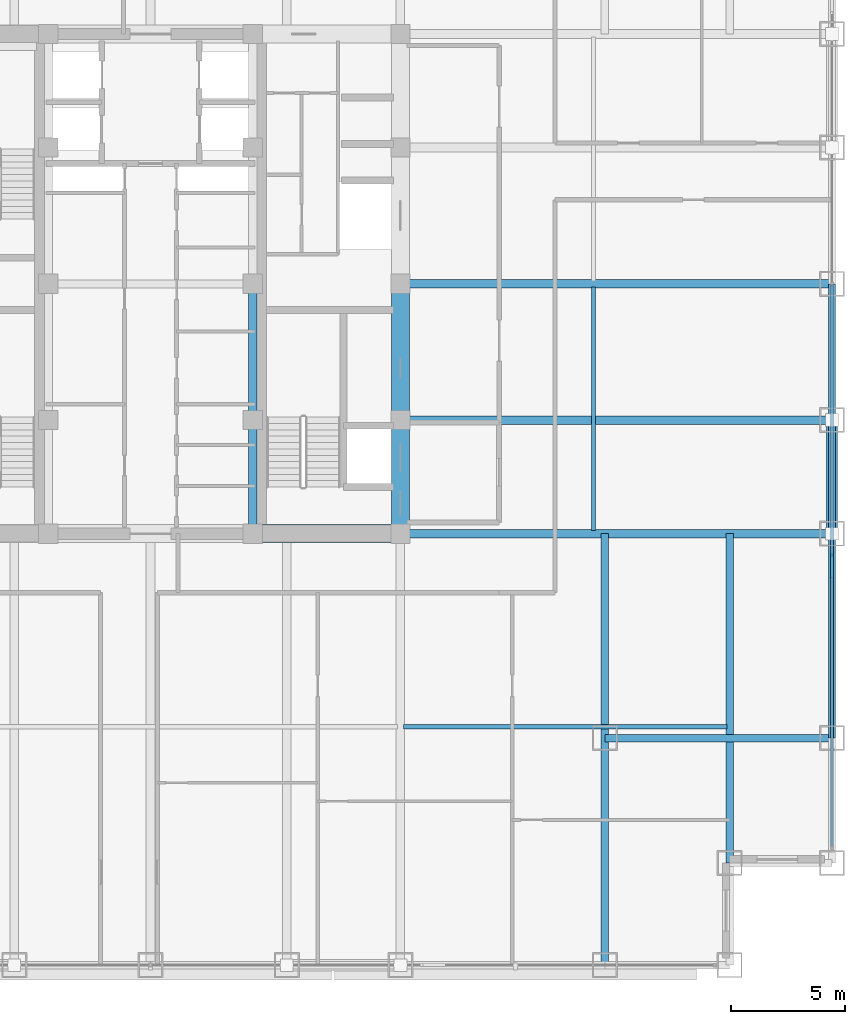
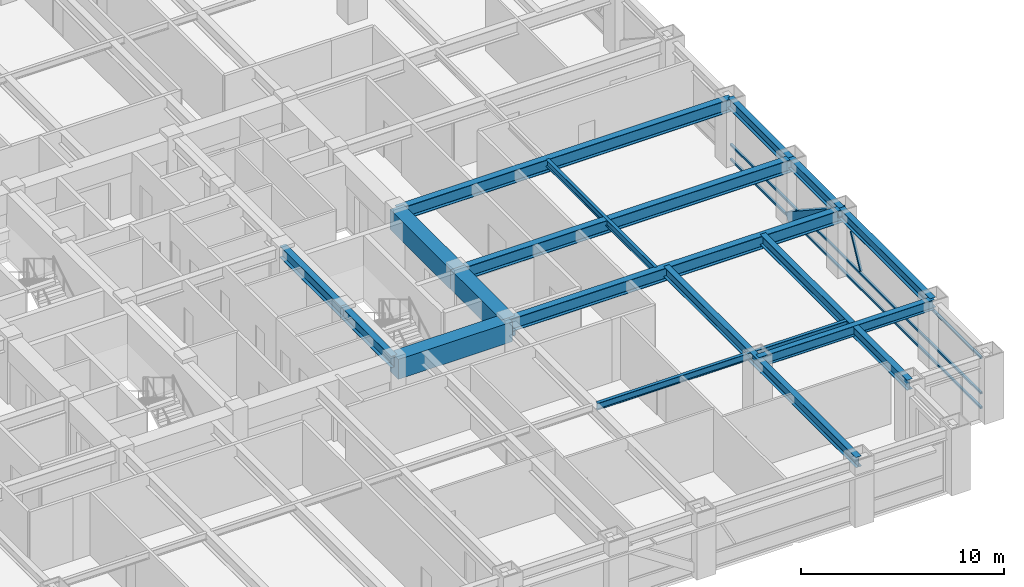
# One storey, part 9 of 28: 16 beams, 5 members, 1 element without a shape of its own.
"""IFC4 building model written with IfcOpenShell, lengths in metres."""

from ifc_helpers import new_model, si_unit, direction, frame, origin, origin_2d, place, context, subcontext, project, spatial, rectangle, hollow_rectangle, i_section, extrude, source, transform, mapped, material, material_profile, profile_set, type_object, element, aggregate, save


model = new_model("IFC4")

# Units and contexts
model_context = context("Model", 3, precision=1e-05, world=origin(), true_north=direction((0.0, 1.0)))
body_context = subcontext(model_context, "Body", "Model", "MODEL_VIEW")
ifc_project = project(units=[si_unit("LENGTHUNIT", "METRE"), si_unit("AREAUNIT", "SQUARE_METRE"), si_unit("VOLUMEUNIT", "CUBIC_METRE"), si_unit("PLANEANGLEUNIT", "RADIAN"), si_unit("MASSUNIT", "GRAM", prefix="KILO")], contexts=[model_context])

# Site, building, storey
site_placement = place(None, origin())
site = spatial("IfcSite", under=ifc_project, at=site_placement, CompositionType="ELEMENT")
building_placement = place(site_placement, origin())
building = spatial("IfcBuilding", under=site, at=building_placement, Name="Khorayat Bourse Tower", CompositionType="ELEMENT")
storey_placement = place(building_placement, frame((0.0, 0.0, 187.10009765625)))
storey = spatial("IfcBuildingStorey", under=building, at=storey_placement, Name="L43", CompositionType="ELEMENT", Elevation=187.10009765625)

# Beams
ifc_material_1 = material(Name="Concrete C72/90", Category="concrete")
ifc_material_profile_1 = material_profile(ifc_material_1, rectangle(XDim=0.800048828125, YDim=1.199951171875, at=origin_2d()), Name="RC 800x1200")
ifc_profile_set_1 = profile_set([ifc_material_profile_1], Name="Concrete C72/90")
beam_type_1 = type_object("IfcBeamType", Name="BM-COUP-1200", PredefinedType="BEAM", material=ifc_profile_set_1)
shared_shape_1 = source(origin(), body_context, "Body", "SweptSolid", [
    extrude(rectangle(XDim=0.800048828125, YDim=1.199951171875, at=origin_2d()), origin(), (0.0, 0.0, 1.0), 5.0),
])
beam_1_placement = place(storey_placement, frame((11.0, -11.0, 3.179931640625), z_axis=(0.0, 1.0, 0.0), x_axis=(-1.0, 0.0, 0.0)))
element("IfcBeam", 1, at=beam_1_placement, inside=storey, type_object=beam_type_1, Name="L43 BM-COUP-1200 BM-L43-CRX-13", PredefinedType="BEAM", context=body_context, shape_type="MappedRepresentation", body=[
    mapped(shared_shape_1, transform((0.0, 0.0, 0.0), scale=1.0)),
])
shared_shape_2 = source(origin(), body_context, "Body", "SweptSolid", [
    extrude(rectangle(XDim=0.800048828125, YDim=1.199951171875, at=origin_2d()), origin(), (0.0, 0.0, 1.0), 6.0),
])
beam_2_placement = place(storey_placement, frame((11.0, -6.0, 3.179931640625), z_axis=(0.0, 1.0, 0.0), x_axis=(-1.0, 0.0, 0.0)))
element("IfcBeam", 2, at=beam_2_placement, inside=storey, type_object=beam_type_1, Name="L43 BM-COUP-1200 BM-L43-CRX-14", PredefinedType="BEAM", context=body_context, shape_type="MappedRepresentation", body=[
    mapped(shared_shape_2, transform((0.0, 0.0, 0.0), scale=1.0)),
])
ifc_material_2 = material(Name="Steel ASTM A992 Grade 50", Category="steel")
ifc_material_profile_2 = material_profile(ifc_material_2, i_section(OverallWidth=0.35498046875, OverallDepth=0.695068359375, WebThickness=0.015380859375, FlangeThickness=0.02490234375, FilletRadius=0.01806640625, at=origin_2d()), Name="W690X217")
ifc_profile_set_2 = profile_set([ifc_material_profile_2], Name="Steel ASTM A992 Grade 50")
beam_type_2 = type_object("IfcBeamType", Name="BM-GIRD-690", PredefinedType="BEAM", material=ifc_profile_set_2)
shared_shape_3 = source(origin(), body_context, "Body", "SweptSolid", [
    extrude(i_section(OverallWidth=0.35498046875, OverallDepth=0.695068359375, WebThickness=0.015380859375, FlangeThickness=0.02490234375, FilletRadius=0.01806640625, at=origin_2d()), origin(), (0.0, 0.0, 1.0), 5.0),
])
beam_3_placement = place(storey_placement, frame((4.5, -11.0, 3.432373046875), z_axis=(0.0, 1.0, 0.0), x_axis=(-1.0, 0.0, 0.0)))
element("IfcBeam", 3, at=beam_3_placement, inside=storey, type_object=beam_type_2, Name="L43 BM-GIRD-690 BM-L43-CRX-09", PredefinedType="BEAM", context=body_context, shape_type="MappedRepresentation", body=[
    mapped(shared_shape_3, transform((0.0, 0.0, 0.0), scale=1.0)),
])
shared_shape_4 = source(origin(), body_context, "Body", "SweptSolid", [
    extrude(i_section(OverallWidth=0.35498046875, OverallDepth=0.695068359375, WebThickness=0.015380859375, FlangeThickness=0.02490234375, FilletRadius=0.01806640625, at=origin_2d()), origin(), (0.0, 0.0, 1.0), 6.0),
])
beam_4_placement = place(storey_placement, frame((4.5, -6.0, 3.432373046875), z_axis=(0.0, 1.0, 0.0), x_axis=(-1.0, 0.0, 0.0)))
element("IfcBeam", 4, at=beam_4_placement, inside=storey, type_object=beam_type_2, Name="L43 BM-GIRD-690 BM-L43-CRX-10", PredefinedType="BEAM", context=body_context, shape_type="MappedRepresentation", body=[
    mapped(shared_shape_4, transform((0.0, 0.0, 0.0), scale=1.0)),
])
shared_shape_5 = source(origin(), body_context, "Body", "SweptSolid", [
    extrude(rectangle(XDim=0.800048828125, YDim=1.199951171875, at=origin_2d()), origin(), (0.0, 0.0, 1.0), 6.5),
])
beam_5_placement = place(storey_placement, frame((4.5, -11.0, 3.179931640625), z_axis=(1.0, 0.0, 0.0), x_axis=(0.0, 1.0, 0.0)))
element("IfcBeam", 5, at=beam_5_placement, inside=storey, type_object=beam_type_1, Name="L43 BM-COUP-1200 BM-L43-CRY-19", PredefinedType="BEAM", context=body_context, shape_type="MappedRepresentation", body=[
    mapped(shared_shape_5, transform((0.0, 0.0, 0.0), scale=1.0)),
])
ifc_material_profile_3 = material_profile(ifc_material_2, i_section(OverallWidth=0.381103515625, OverallDepth=0.77294921875, WebThickness=0.0166015625, FlangeThickness=0.027587890625, FilletRadius=0.01806640625, at=origin_2d()), Name="W760X257")
ifc_profile_set_3 = profile_set([ifc_material_profile_3], Name="Steel ASTM A992 Grade 50")
beam_type_3 = type_object("IfcBeamType", Name="BM-GIRD-760", PredefinedType="BEAM", material=ifc_profile_set_3)
shared_shape_6 = source(origin(), body_context, "Body", "SweptSolid", [
    extrude(i_section(OverallWidth=0.381103515625, OverallDepth=0.77294921875, WebThickness=0.0166015625, FlangeThickness=0.027587890625, FilletRadius=0.01806640625, at=origin_2d()), origin(), (0.0, 0.0, 1.0), 19.0),
])
for number, where, z_axis, x_axis, name in (
    (6, (11.0, -11.0, 3.393310546875), (1.0, 0.0, 0.0), (0.0, 1.0, 0.0), "L43 BM-GIRD-760 BM-L43-RADX-074"),
    (7, (11.0, -6.0, 3.393310546875), (1.0, 0.0, 0.0), (0.0, 1.0, 0.0), "L43 BM-GIRD-760 BM-L43-RADX-076"),
    (8, (11.0, 0.0, 3.393310546875), (1.0, 0.0, 0.0), (0.0, 1.0, 0.0), "L43 BM-GIRD-760 BM-L43-RADX-078"),
):
    element("IfcBeam", number, at=place(storey_placement, frame(where, z_axis=z_axis, x_axis=x_axis)), inside=storey, type_object=beam_type_3, Name=name, PredefinedType="BEAM", context=body_context, shape_type="MappedRepresentation", body=[
        mapped(shared_shape_6, transform((0.0, 0.0, 0.0), scale=1.0)),
    ])
ifc_material_profile_4 = material_profile(ifc_material_2, i_section(OverallWidth=0.324951171875, OverallDepth=0.615966796875, WebThickness=0.013916015625, FlangeThickness=0.021484375, FilletRadius=0.01611328125, at=origin_2d()), Name="W610X174")
ifc_profile_set_4 = profile_set([ifc_material_profile_4], Name="Steel ASTM A992 Grade 50")
beam_type_4 = type_object("IfcBeamType", Name="BM-GIRD-610", PredefinedType="BEAM", material=ifc_profile_set_4)
shared_shape_7 = source(origin(), body_context, "Body", "SweptSolid", [
    extrude(i_section(OverallWidth=0.324951171875, OverallDepth=0.615966796875, WebThickness=0.013916015625, FlangeThickness=0.021484375, FilletRadius=0.01611328125, at=origin_2d()), origin(), (0.0, 0.0, 1.0), 19.0),
])
beam_6_placement = place(storey_placement, frame((20.0, -30.0, 3.471923828125), z_axis=(0.0, 1.0, 0.0), x_axis=(-1.0, 0.0, 0.0)))
element("IfcBeam", 9, at=beam_6_placement, inside=storey, type_object=beam_type_4, Name="L43 BM-GIRD-610 BM-L43-CNRY-086", PredefinedType="BEAM", context=body_context, shape_type="MappedRepresentation", body=[
    mapped(shared_shape_7, transform((0.0, 0.0, 0.0), scale=1.0)),
])
shared_shape_8 = source(origin(), body_context, "Body", "SweptSolid", [
    extrude(i_section(OverallWidth=0.324951171875, OverallDepth=0.615966796875, WebThickness=0.013916015625, FlangeThickness=0.021484375, FilletRadius=0.01611328125, at=origin_2d()), origin(), (0.0, 0.0, 1.0), 14.5),
])
beam_7_placement = place(storey_placement, frame((25.5, -25.5, 3.471923828125), z_axis=(0.0, 1.0, 0.0), x_axis=(-1.0, 0.0, 0.0)))
element("IfcBeam", 10, at=beam_7_placement, inside=storey, type_object=beam_type_4, Name="L43 BM-GIRD-610 BM-L43-CNRY-090", PredefinedType="BEAM", context=body_context, shape_type="MappedRepresentation", body=[
    mapped(shared_shape_8, transform((0.0, 0.0, 0.0), scale=1.0)),
])
shared_shape_9 = source(origin(), body_context, "Body", "SweptSolid", [
    extrude(i_section(OverallWidth=0.324951171875, OverallDepth=0.615966796875, WebThickness=0.013916015625, FlangeThickness=0.021484375, FilletRadius=0.01611328125, at=origin_2d()), origin(), (0.0, 0.0, 1.0), 10.0),
])
beam_8_placement = place(storey_placement, frame((20.0, -20.0, 3.471923828125), z_axis=(1.0, 0.0, 0.0), x_axis=(0.0, 1.0, 0.0)))
element("IfcBeam", 11, at=beam_8_placement, inside=storey, type_object=beam_type_4, Name="L43 BM-GIRD-610 BM-L43-CNRX-092", PredefinedType="BEAM", context=body_context, shape_type="MappedRepresentation", body=[
    mapped(shared_shape_9, transform((0.0, 0.0, 0.0), scale=1.0)),
])
ifc_material_profile_5 = material_profile(ifc_material_2, i_section(OverallWidth=0.180908203125, OverallDepth=0.4169921875, WebThickness=0.010986328125, FlangeThickness=0.018310546875, FilletRadius=0.011962890625, at=origin_2d()), Name="W410X85")
ifc_profile_set_5 = profile_set([ifc_material_profile_5], Name="Steel ASTM A992 Grade 50")
beam_type_5 = type_object("IfcBeamType", Name="BM-JOIST-410", PredefinedType="JOIST", material=ifc_profile_set_5)
shared_shape_10 = source(origin(), body_context, "Body", "SweptSolid", [
    extrude(i_section(OverallWidth=0.180908203125, OverallDepth=0.4169921875, WebThickness=0.010986328125, FlangeThickness=0.018310546875, FilletRadius=0.011962890625, at=origin_2d()), origin(), (0.0, 0.0, 1.0), 14.240234375),
])
beam_9_placement = place(storey_placement, frame((11.1298828125, -19.5, 3.5712890625), z_axis=(1.0, 0.0, 0.0), x_axis=(0.0, 1.0, 0.0)))
element("IfcBeam", 12, at=beam_9_placement, inside=storey, type_object=beam_type_5, Name="L43 BM-JOIST-410 BM-L43-JSTX-098", PredefinedType="JOIST", context=body_context, shape_type="MappedRepresentation", body=[
    mapped(shared_shape_10, transform((0.0, 0.0, 0.0), scale=1.0)),
])
shared_shape_11 = source(origin(), body_context, "Body", "SweptSolid", [
    extrude(i_section(OverallWidth=0.180908203125, OverallDepth=0.4169921875, WebThickness=0.010986328125, FlangeThickness=0.018310546875, FilletRadius=0.011962890625, at=origin_2d()), origin(), (0.0, 0.0, 1.0), 10.740234375),
])
beam_10_placement = place(storey_placement, frame((19.5, -10.8701171875, 3.5712890625), z_axis=(0.0, 1.0, 0.0), x_axis=(-1.0, 0.0, 0.0)))
element("IfcBeam", 13, at=beam_10_placement, inside=storey, type_object=beam_type_5, Name="L43 BM-JOIST-410 BM-L43-JSTY-104", PredefinedType="JOIST", context=body_context, shape_type="MappedRepresentation", body=[
    mapped(shared_shape_11, transform((0.0, 0.0, 0.0), scale=1.0)),
])
ifc_material_profile_6 = material_profile(ifc_material_2, i_section(OverallWidth=0.324951171875, OverallDepth=0.615966796875, WebThickness=0.013916015625, FlangeThickness=0.021484375, FilletRadius=0.01611328125, at=origin_2d()), Name="W610X174")
ifc_profile_set_6 = profile_set([ifc_material_profile_6], Name="Steel ASTM A992 Grade 50")
beam_type_6 = type_object("IfcBeamType", Name="BM-SPAN-610", PredefinedType="SPANDREL", material=ifc_profile_set_6)
shared_shape_12 = source(origin(), body_context, "Body", "SweptSolid", [
    extrude(i_section(OverallWidth=0.324951171875, OverallDepth=0.615966796875, WebThickness=0.013916015625, FlangeThickness=0.021484375, FilletRadius=0.01611328125, at=origin_2d()), origin(), (0.0, 0.0, 1.0), 9.0),
])
beam_11_placement = place(storey_placement, frame((30.0, -20.0, 3.471923828125), z_axis=(0.0, 1.0, 0.0), x_axis=(-1.0, 0.0, 0.0)))
element("IfcBeam", 14, at=beam_11_placement, inside=storey, type_object=beam_type_6, Name="L43 BM-SPAN-610 BM-L43-SPN-035", PredefinedType="SPANDREL", context=body_context, shape_type="MappedRepresentation", body=[
    mapped(shared_shape_12, transform((0.0, 0.0, 0.0), scale=1.0)),
])
shared_shape_13 = source(origin(), body_context, "Body", "SweptSolid", [
    extrude(i_section(OverallWidth=0.324951171875, OverallDepth=0.615966796875, WebThickness=0.013916015625, FlangeThickness=0.021484375, FilletRadius=0.01611328125, at=origin_2d()), origin(), (0.0, 0.0, 1.0), 5.0),
])
beam_12_placement = place(storey_placement, frame((30.0, -11.0, 3.471923828125), z_axis=(0.0, 1.0, 0.0), x_axis=(-1.0, 0.0, 0.0)))
element("IfcBeam", 15, at=beam_12_placement, inside=storey, type_object=beam_type_6, Name="L43 BM-SPAN-610 BM-L43-SPN-036", PredefinedType="SPANDREL", context=body_context, shape_type="MappedRepresentation", body=[
    mapped(shared_shape_13, transform((0.0, 0.0, 0.0), scale=1.0)),
])
shared_shape_14 = source(origin(), body_context, "Body", "SweptSolid", [
    extrude(i_section(OverallWidth=0.324951171875, OverallDepth=0.615966796875, WebThickness=0.013916015625, FlangeThickness=0.021484375, FilletRadius=0.01611328125, at=origin_2d()), origin(), (0.0, 0.0, 1.0), 6.0),
])
beam_13_placement = place(storey_placement, frame((30.0, -6.0, 3.471923828125), z_axis=(0.0, 1.0, 0.0), x_axis=(-1.0, 0.0, 0.0)))
element("IfcBeam", 16, at=beam_13_placement, inside=storey, type_object=beam_type_6, Name="L43 BM-SPAN-610 BM-L43-SPN-037", PredefinedType="SPANDREL", context=body_context, shape_type="MappedRepresentation", body=[
    mapped(shared_shape_14, transform((0.0, 0.0, 0.0), scale=1.0)),
])

# Member
ifc_material_3 = material(Name="Steel EN 10025-4 S460M", Category="steel")
ifc_material_profile_7 = material_profile(ifc_material_3, hollow_rectangle(XDim=0.5, YDim=0.5, WallThickness=0.028076171875, at=origin_2d()), Name="HSS 500x500x28")
ifc_profile_set_7 = profile_set([ifc_material_profile_7], Name="Steel EN 10025-4 S460M")
member_type_1 = type_object("IfcMemberType", Name="MBR-TUBE-500", PredefinedType="BRACE", material=ifc_profile_set_7)
shared_shape_15 = source(origin(), body_context, "Body", "SweptSolid", [
    extrude(hollow_rectangle(XDim=0.5, YDim=0.5, WallThickness=0.028076171875, at=origin_2d()), origin(), (0.0, 0.0, 1.0), 5.979736328125),
])
member_1_placement = place(storey_placement, frame((30.0, -11.0, 3.52978515625), z_axis=(0.0, 0.836160261256, -0.548485202623), x_axis=(-1.0, 0.0, 0.0)))
element("IfcMember", 17, at=member_1_placement, inside=storey, type_object=member_type_1, Name="L43 Perimeter Tube Brace 07", PredefinedType="BRACE", context=body_context, shape_type="MappedRepresentation", body=[
    mapped(shared_shape_15, transform((0.0, 0.0, 0.0), scale=1.0)),
])

# Curtain wall, members
ifc_material_4 = material(Name="Aluminium EN AW-6063 T6", Category="aluminium")
curtain_wall_type = type_object("IfcCurtainWallType", Name="CW-SYS-03", PredefinedType="NOTDEFINED", material=ifc_material_4)
curtain_wall_placement = place(storey_placement, origin())
curtain_wall = element("IfcCurtainWall", 18, at=curtain_wall_placement, inside=storey, type_object=curtain_wall_type, Name="L43 Curtain Wall CW-L43-E1", PredefinedType="NOTDEFINED")
ifc_material_profile_8 = material_profile(ifc_material_4, hollow_rectangle(XDim=0.1201171875, YDim=0.1201171875, WallThickness=0.0048828125, at=origin_2d()), Name="ALU 120x120x5")
ifc_profile_set_8 = profile_set([ifc_material_profile_8], Name="Aluminium EN AW-6063 T6")
member_type_2 = type_object("IfcMemberType", Name="CWM-DIAG-120", PredefinedType="MULLION", material=ifc_profile_set_8)
shared_shape_16 = source(origin(), body_context, "Body", "SweptSolid", [
    extrude(hollow_rectangle(XDim=0.1201171875, YDim=0.1201171875, WallThickness=0.0048828125, at=origin_2d()), origin(), (0.0, 0.0, 1.0), 2.079345703125),
])
member_2_placement = place(storey_placement, frame((30.0, -12.904296875, 1.08984375), z_axis=(0.0, 0.465760949701, 0.884910581773), x_axis=(-1.0, 0.0, 0.0)))
member_2 = element("IfcMember", 19, at=member_2_placement, type_object=member_type_2, Name="CW-L43-E1 Faceted Diagonal Mullion 1", PredefinedType="MULLION", context=body_context, shape_type="MappedRepresentation", body=[
    mapped(shared_shape_16, transform((0.0, 0.0, 0.0), scale=1.0)),
])
ifc_material_profile_9 = material_profile(ifc_material_4, hollow_rectangle(XDim=0.1201171875, YDim=0.1201171875, WallThickness=0.0048828125, at=origin_2d()), Name="ALU 120x120x5")
ifc_profile_set_9 = profile_set([ifc_material_profile_9], Name="Aluminium EN AW-6063 T6")
member_type_3 = type_object("IfcMemberType", Name="CWT-HORZ-120", PredefinedType="USERDEFINED", material=ifc_profile_set_9)
shared_shape_17 = source(origin(), body_context, "Body", "SweptSolid", [
    extrude(hollow_rectangle(XDim=0.1201171875, YDim=0.1201171875, WallThickness=0.0048828125, at=origin_2d()), origin(), (0.0, 0.0, 1.0), 24.719970703125),
])
member_3_placement = place(storey_placement, frame((30.0, -24.780029296875, 0.059814453125), z_axis=(0.0, 1.0, 0.0), x_axis=(-1.0, 0.0, 0.0)))
member_3 = element("IfcMember", 20, at=member_3_placement, type_object=member_type_3, Name="CW-L43-E1 Horizontal Transom 1-1", ObjectType="TRANSOM", PredefinedType="USERDEFINED", context=body_context, shape_type="MappedRepresentation", body=[
    mapped(shared_shape_17, transform((0.0, 0.0, 0.0), scale=1.0)),
])
member_4_placement = place(storey_placement, frame((30.0, -24.780029296875, 0.949951171875), z_axis=(0.0, 1.0, 0.0), x_axis=(-1.0, 0.0, 0.0)))
member_4 = element("IfcMember", 21, at=member_4_placement, type_object=member_type_3, Name="CW-L43-E1 Horizontal Transom 1-2", ObjectType="TRANSOM", PredefinedType="USERDEFINED", context=body_context, shape_type="MappedRepresentation", body=[
    mapped(shared_shape_17, transform((0.0, 0.0, 0.0), scale=1.0)),
])
member_5_placement = place(storey_placement, frame((30.0, -24.780029296875, 3.06982421875), z_axis=(0.0, 1.0, 0.0), x_axis=(-1.0, 0.0, 0.0)))
member_5 = element("IfcMember", 22, at=member_5_placement, type_object=member_type_3, Name="CW-L43-E1 Horizontal Transom 1-3", ObjectType="TRANSOM", PredefinedType="USERDEFINED", context=body_context, shape_type="MappedRepresentation", body=[
    mapped(shared_shape_17, transform((0.0, 0.0, 0.0), scale=1.0)),
])
aggregate(curtain_wall, [member_3, member_4, member_5, member_2])

save(model, "model.ifc")
